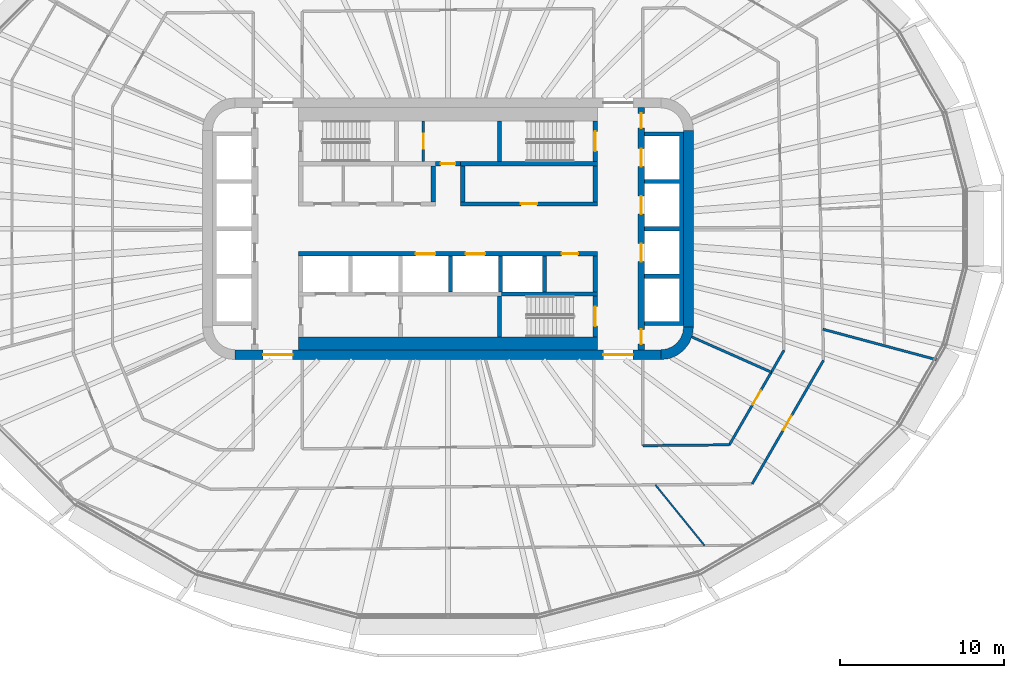
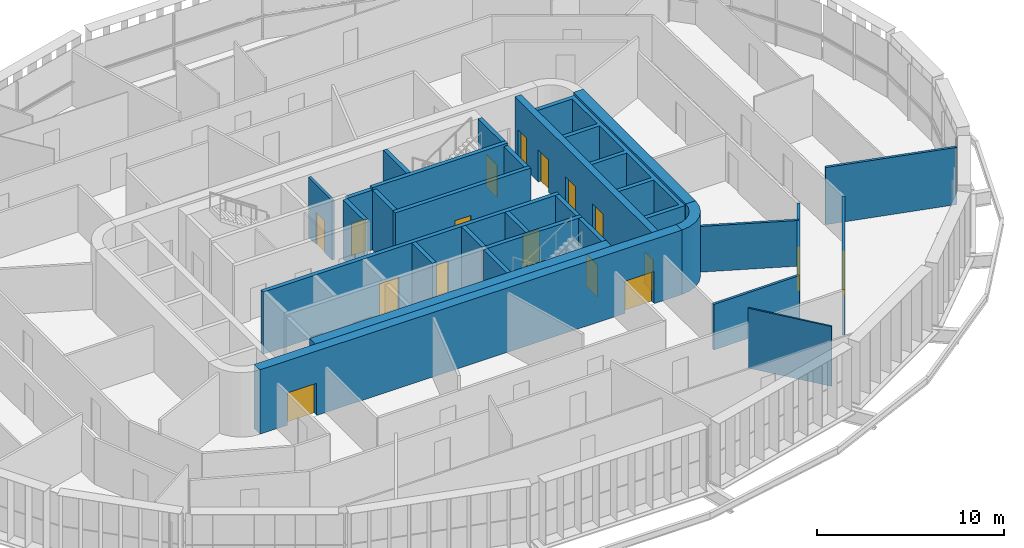
# One storey, part 16 of 26: 29 walls, 17 doors, 17 openings.
"""IFC4 building model written with IfcOpenShell, lengths in metres."""

from ifc_helpers import new_model, si_unit, direction, frame, frame_2d, origin, place, context, subcontext, project, spatial, polyline, rectangle, outline, extrude, material, layer, layer_set, type_object, element, fill, save


model = new_model("IFC4")

# Units and contexts
model_context = context("Model", 3, precision=1e-05, world=origin(), true_north=direction((0.0, 1.0)))
body_context = subcontext(model_context, "Body", "Model", "MODEL_VIEW")
ifc_project = project(units=[si_unit("LENGTHUNIT", "METRE"), si_unit("AREAUNIT", "SQUARE_METRE"), si_unit("VOLUMEUNIT", "CUBIC_METRE"), si_unit("PLANEANGLEUNIT", "RADIAN"), si_unit("MASSUNIT", "GRAM", prefix="KILO")], contexts=[model_context])

# Site, building, storey
site_placement = place(None, origin())
site = spatial("IfcSite", under=ifc_project, at=site_placement, CompositionType="ELEMENT")
building_placement = place(site_placement, origin())
building = spatial("IfcBuilding", under=site, at=building_placement, Name="Sahrelin Media Tower", CompositionType="ELEMENT")
storey_placement = place(building_placement, frame((0.0, 0.0, 88.199951171875)))
storey = spatial("IfcBuildingStorey", under=building, at=storey_placement, Name="L16", CompositionType="ELEMENT", Elevation=88.199951171875)

# Wall, openings, doors
ifc_material_1 = material(Name="Concrete C60/75", Category="concrete")
ifc_layer_1 = layer(ifc_material_1, 0.60009765625)
ifc_layer_set_1 = layer_set([ifc_layer_1], Name="Core wall 600")
wall_type_1 = type_object("IfcWallType", Name="Core wall 600", PredefinedType="SHEAR", material=ifc_layer_set_1)
wall_1_placement = place(storey_placement, frame((-13.0, -7.699951171875, 0.0), z_axis=(0.0, 0.0, 1.0), x_axis=(1.0, 0.0, 0.0)))
wall_1 = element("IfcWall", 1, at=wall_1_placement, inside=storey, type_object=wall_type_1, Name="Core wall S L16", PredefinedType="SHEAR", context=body_context, shape_type="SweptSolid", body=[
    extrude(rectangle(XDim=26.0, YDim=0.60009765625, at=frame_2d((13.0, 0.0))), origin(), (0.0, 0.0, 1.0), 4.199951171875),
])
opening_1_placement = place(wall_1_placement, frame((1.699951171875, 0.0, 0.0)))
opening_1 = element("IfcOpeningElement", 2, at=opening_1_placement, cuts=wall_1, Name="Opening L16-D19", PredefinedType="OPENING", context=body_context, shape_type="SweptSolid", body=[
    extrude(rectangle(XDim=1.800048828125, YDim=2.10009765625, at=frame_2d((0.89990234375, 1.050048828125))), frame((0.0, 0.300048828125, 0.0), z_axis=(0.0, -1.0, 0.0), x_axis=(1.0, 0.0, 0.0)), (0.0, 0.0, 1.0), 0.60009765625),
])
opening_2_placement = place(wall_1_placement, frame((22.5, 0.0, 0.0)))
opening_2 = element("IfcOpeningElement", 3, at=opening_2_placement, cuts=wall_1, Name="Opening L16-D20", PredefinedType="OPENING", context=body_context, shape_type="SweptSolid", body=[
    extrude(rectangle(XDim=1.800048828125, YDim=2.10009765625, at=frame_2d((0.89990234375, 1.050048828125))), frame((0.0, 0.300048828125, 0.0), z_axis=(0.0, -1.0, 0.0), x_axis=(1.0, 0.0, 0.0)), (0.0, 0.0, 1.0), 0.60009765625),
])
ifc_material_2 = material(Name="Steel fire door leaf", Category="steel")
door_type_1 = type_object("IfcDoorType", Name="Lobby double door 1800 x 2100 EI 60", OperationType="DOUBLE_DOOR_SINGLE_SWING", PredefinedType="DOOR", material=ifc_material_2)
door_1_placement = place(opening_1_placement, origin())
door_1 = element("IfcDoor", 4, at=door_1_placement, inside=storey, type_object=door_type_1, Name="Lobby door", OperationType="DOUBLE_DOOR_SINGLE_SWING", OverallHeight=2.10009765625, OverallWidth=1.800048828125, PredefinedType="DOOR", context=body_context, shape_type="SweptSolid", body=[
    extrude(rectangle(XDim=1.800048828125, YDim=2.10009765625, at=frame_2d((0.89990234375, 1.050048828125))), frame((0.0, 0.02490234375, 0.0), z_axis=(0.0, -1.0, 0.0), x_axis=(1.0, 0.0, 0.0)), (0.0, 0.0, 1.0), 0.050048828125),
])
fill(opening_1, door_1)
door_2_placement = place(opening_2_placement, origin())
door_2 = element("IfcDoor", 5, at=door_2_placement, inside=storey, type_object=door_type_1, Name="Lobby door", OperationType="DOUBLE_DOOR_SINGLE_SWING", OverallHeight=2.10009765625, OverallWidth=1.800048828125, PredefinedType="DOOR", context=body_context, shape_type="SweptSolid", body=[
    extrude(rectangle(XDim=1.800048828125, YDim=2.10009765625, at=frame_2d((0.89990234375, 1.050048828125))), frame((0.0, 0.02490234375, 0.0), z_axis=(0.0, -1.0, 0.0), x_axis=(1.0, 0.0, 0.0)), (0.0, 0.0, 1.0), 0.050048828125),
])
fill(opening_2, door_2)

# Walls
wall_2_placement = place(storey_placement, frame((14.699951171875, -6.0, 0.0), z_axis=(0.0, 0.0, 1.0), x_axis=(0.0, 1.0, 0.0)))
element("IfcWall", 6, at=wall_2_placement, inside=storey, type_object=wall_type_1, Name="Core wall E L16", PredefinedType="SHEAR", context=body_context, shape_type="SweptSolid", body=[
    extrude(rectangle(XDim=12.0, YDim=0.60009765625, at=frame_2d((6.0, 0.0))), origin(), (0.0, 0.0, 1.0), 4.199951171875),
])
placement = place(storey_placement, origin())
element("IfcWall", 7, at=placement, inside=storey, type_object=wall_type_1, Name="Core wall corner SE L16", PredefinedType="SHEAR", context=body_context, shape_type="SweptSolid", body=[
    extrude(outline(polyline([(15.0, -6.0), (14.394775390625, -6.0), (14.347412109375, -6.361083984375), (14.2080078125, -6.697509765625), (13.986328125, -6.986328125), (13.697509765625, -7.2080078125), (13.361083984375, -7.347412109375), (13.0, -7.394775390625), (13.0, -8.0), (13.517578125, -7.931884765625), (14.0, -7.732177734375), (14.414306640625, -7.414306640625), (14.732177734375, -7.0), (14.931884765625, -6.517578125), (15.0, -6.0)])), origin(), (0.0, 0.0, 1.0), 4.199951171875),
])

# Wall, opening, door
ifc_material_3 = material(Name="Fire-rated gypsum board partition")
ifc_layer_2 = layer(ifc_material_3, 0.25)
ifc_layer_set_2 = layer_set([ifc_layer_2], Name="Fire-rated lobby wall 250")
wall_type_2 = type_object("IfcWallType", Name="Fire-rated lobby wall 250", PredefinedType="PARTITIONING", material=ifc_layer_set_2)
wall_4_placement = place(storey_placement, frame((-0.77490234375, 3.97509765625, 0.0), z_axis=(0.0, 0.0, 1.0), x_axis=(1.0, 0.0, 0.0)))
wall_4 = element("IfcWall", 8, at=wall_4_placement, inside=storey, type_object=wall_type_2, Name="Core lobby wall", PredefinedType="PARTITIONING", context=body_context, shape_type="SweptSolid", body=[
    extrude(rectangle(XDim=1.5498046875, YDim=0.25, at=frame_2d((0.77490234375, 0.0))), origin(), (0.0, 0.0, 1.0), 3.900146484375),
])
opening_3_placement = place(wall_4_placement, frame((0.324951171875, 0.0, 0.0)))
opening_3 = element("IfcOpeningElement", 9, at=opening_3_placement, cuts=wall_4, Name="Opening L16-D06", PredefinedType="OPENING", context=body_context, shape_type="SweptSolid", body=[
    extrude(rectangle(XDim=0.89990234375, YDim=2.10009765625, at=frame_2d((0.449951171875, 1.050048828125))), frame((0.0, 0.125, 0.0), z_axis=(0.0, -1.0, 0.0), x_axis=(1.0, 0.0, 0.0)), (0.0, 0.0, 1.0), 0.25),
])
door_type_2 = type_object("IfcDoorType", Name="Riser door 900 x 2100 EI 120", OperationType="NOTDEFINED", PredefinedType="DOOR", material=ifc_material_2)
door_3_placement = place(opening_3_placement, origin())
door_3 = element("IfcDoor", 10, at=door_3_placement, inside=storey, type_object=door_type_2, Name="Core room door", OperationType="SINGLE_SWING_LEFT", OverallHeight=2.10009765625, OverallWidth=0.89990234375, PredefinedType="DOOR", context=body_context, shape_type="SweptSolid", body=[
    extrude(rectangle(XDim=0.89990234375, YDim=2.10009765625, at=frame_2d((0.449951171875, 1.050048828125))), frame((0.0, 0.02490234375, 0.0), z_axis=(0.0, -1.0, 0.0), x_axis=(1.0, 0.0, 0.0)), (0.0, 0.0, 1.0), 0.050048828125),
])
fill(opening_3, door_3)

wall_5_placement = place(storey_placement, frame((0.77490234375, 1.52490234375, 0.0), z_axis=(0.0, 0.0, 1.0), x_axis=(1.0, 0.0, 0.0)))
wall_5 = element("IfcWall", 11, at=wall_5_placement, inside=storey, type_object=wall_type_2, Name="Core lobby wall", PredefinedType="PARTITIONING", context=body_context, shape_type="SweptSolid", body=[
    extrude(rectangle(XDim=8.35009765625, YDim=0.25, at=frame_2d((4.175048828125, 0.0))), origin(), (0.0, 0.0, 1.0), 3.900146484375),
])
opening_4_placement = place(wall_5_placement, frame((3.675048828125, 0.0, 0.0)))
opening_4 = element("IfcOpeningElement", 12, at=opening_4_placement, cuts=wall_5, Name="Opening L16-D11", PredefinedType="OPENING", context=body_context, shape_type="SweptSolid", body=[
    extrude(rectangle(XDim=1.0, YDim=2.10009765625, at=frame_2d((0.5, 1.050048828125))), frame((0.0, 0.125, 0.0), z_axis=(0.0, -1.0, 0.0), x_axis=(1.0, 0.0, 0.0)), (0.0, 0.0, 1.0), 0.25),
])
door_type_3 = type_object("IfcDoorType", Name="Fire door 1000 x 2100 EI 60", OperationType="NOTDEFINED", PredefinedType="DOOR", material=ifc_material_2)
door_4_placement = place(opening_4_placement, origin())
door_4 = element("IfcDoor", 13, at=door_4_placement, inside=storey, type_object=door_type_3, Name="Core room door", OperationType="SINGLE_SWING_LEFT", OverallHeight=2.10009765625, OverallWidth=1.0, PredefinedType="DOOR", context=body_context, shape_type="SweptSolid", body=[
    extrude(rectangle(XDim=1.0, YDim=2.10009765625, at=frame_2d((0.5, 1.050048828125))), frame((0.0, 0.02490234375, 0.0), z_axis=(0.0, -1.0, 0.0), x_axis=(1.0, 0.0, 0.0)), (0.0, 0.0, 1.0), 0.050048828125),
])
fill(opening_4, door_4)

# Walls
for number, where, z_axis, x_axis, name in (
    (14, (-0.89990234375, 1.64990234375, 0.0), (0.0, 0.0, 1.0), (0.0, 1.0, 0.0), "Core lobby wall"),
    (15, (9.0, 1.64990234375, 0.0), (0.0, 0.0, 1.0), (0.0, 1.0, 0.0), "Core lobby wall"),
    (16, (0.89990234375, 1.64990234375, 0.0), (0.0, 0.0, 1.0), (0.0, 1.0, 0.0), "Core lobby wall"),
):
    element("IfcWall", number, at=place(storey_placement, frame(where, z_axis=z_axis, x_axis=x_axis)), inside=storey, type_object=wall_type_2, Name=name, PredefinedType="PARTITIONING", context=body_context, shape_type="SweptSolid", body=[
        extrude(rectangle(XDim=2.2001953125, YDim=0.25, at=frame_2d((1.10009765625, 0.0))), origin(), (0.0, 0.0, 1.0), 3.900146484375),
    ])

# Wall, opening, door
ifc_layer_3 = layer(ifc_material_3, 0.14990234375)
ifc_layer_set_3 = layer_set([ifc_layer_3], Name="Fire-rated partition 150")
wall_type_3 = type_object("IfcWallType", Name="Fire-rated partition 150", PredefinedType="PARTITIONING", material=ifc_layer_set_3)
wall_6_placement = place(storey_placement, frame((-1.5, 4.10009765625, 0.0), z_axis=(0.0, 0.0, 1.0), x_axis=(0.0, 1.0, 0.0)))
wall_6 = element("IfcWall", 17, at=wall_6_placement, inside=storey, type_object=wall_type_3, Name="Core room fire partition", PredefinedType="PARTITIONING", context=body_context, shape_type="SweptSolid", body=[
    extrude(rectangle(XDim=2.5, YDim=0.14990234375, at=frame_2d((1.25, 0.0))), origin(), (0.0, 0.0, 1.0), 3.900146484375),
])
opening_5_placement = place(wall_6_placement, frame((0.800048828125, 0.0, 0.0)))
opening_5 = element("IfcOpeningElement", 18, at=opening_5_placement, cuts=wall_6, Name="Opening L16-D07", PredefinedType="OPENING", context=body_context, shape_type="SweptSolid", body=[
    extrude(rectangle(XDim=0.89990234375, YDim=2.10009765625, at=frame_2d((0.449951171875, 1.050048828125))), frame((0.0, 0.074951171875, 0.0), z_axis=(0.0, -1.0, 0.0), x_axis=(1.0, 0.0, 0.0)), (0.0, 0.0, 1.0), 0.14990234375),
])
door_type_4 = type_object("IfcDoorType", Name="Fire door 900 x 2100 EI 60", OperationType="NOTDEFINED", PredefinedType="DOOR", material=ifc_material_2)
door_5_placement = place(opening_5_placement, origin())
door_5 = element("IfcDoor", 19, at=door_5_placement, inside=storey, type_object=door_type_4, Name="Core room door", OperationType="SINGLE_SWING_LEFT", OverallHeight=2.10009765625, OverallWidth=0.89990234375, PredefinedType="DOOR", context=body_context, shape_type="SweptSolid", body=[
    extrude(rectangle(XDim=0.89990234375, YDim=2.10009765625, at=frame_2d((0.449951171875, 1.050048828125))), frame((0.0, 0.02490234375, 0.0), z_axis=(0.0, -1.0, 0.0), x_axis=(1.0, 0.0, 0.0)), (0.0, 0.0, 1.0), 0.050048828125),
])
fill(opening_5, door_5)

# Walls
wall_7_placement = place(storey_placement, frame((14.89501953125, -6.60693359375, 0.0), z_axis=(0.0, 0.0, 1.0), x_axis=(0.914233271379, -0.405188259337, 0.0)))
element("IfcWall", 20, at=wall_7_placement, inside=storey, type_object=wall_type_3, Name="Wall", PredefinedType="PARTITIONING", context=body_context, shape_type="SweptSolid", body=[
    extrude(rectangle(XDim=5.3173828125, YDim=0.14990234375, at=frame_2d((2.65869140625, 0.0))), origin(), (0.0, 0.0, 1.0), 2.97705078125),
])
wall_8_placement = place(storey_placement, frame((22.905029296875, -6.136962890625, 0.0), z_axis=(0.0, 0.0, 1.0), x_axis=(0.965915974273, -0.258855810529, 0.0)))
element("IfcWall", 21, at=wall_8_placement, inside=storey, type_object=wall_type_3, Name="Wall", PredefinedType="PARTITIONING", context=body_context, shape_type="SweptSolid", body=[
    extrude(rectangle(XDim=7.270751953125, YDim=0.14990234375, at=frame_2d((3.63525390625, 0.0))), origin(), (0.0, 0.0, 1.0), 3.7265625),
])
wall_9_placement = place(storey_placement, frame((11.89990234375, -13.2529296875, 0.0), z_axis=(0.0, 0.0, 1.0), x_axis=(0.999950853109, 0.009914200296, 0.0)))
element("IfcWall", 22, at=wall_9_placement, inside=storey, type_object=wall_type_3, Name="Wall", PredefinedType="PARTITIONING", context=body_context, shape_type="SweptSolid", body=[
    extrude(rectangle(XDim=5.29443359375, YDim=0.14990234375, at=frame_2d((2.647216796875, 0.0))), origin(), (0.0, 0.0, 1.0), 2.96826171875),
])

# Wall, opening, door
wall_10_placement = place(storey_placement, frame((18.5869140625, -15.5869140625, 0.0), z_axis=(0.0, 0.0, 1.0), x_axis=(0.500026433136, 0.866010142069, 0.0)))
wall_10 = element("IfcWall", 23, at=wall_10_placement, inside=storey, type_object=wall_type_3, Name="Wall", PredefinedType="PARTITIONING", context=body_context, shape_type="SweptSolid", body=[
    extrude(rectangle(XDim=8.71337890625, YDim=0.14990234375, at=frame_2d((4.356689453125, 0.0))), origin(), (0.0, 0.0, 1.0), 2.96826171875),
])
opening_6_placement = place(wall_10_placement, frame((3.80712890625, 0.0, 0.0)))
opening_6 = element("IfcOpeningElement", 24, at=opening_6_placement, cuts=wall_10, Name="Opening L16-D36", PredefinedType="OPENING", context=body_context, shape_type="SweptSolid", body=[
    extrude(rectangle(XDim=1.0, YDim=2.10009765625, at=frame_2d((0.5, 1.050048828125))), frame((0.0, 0.074951171875, 0.0), z_axis=(0.0, -1.0, 0.0), x_axis=(1.0, 0.0, 0.0)), (0.0, 0.0, 1.0), 0.14990234375),
])
door_6_placement = place(opening_6_placement, origin())
door_6 = element("IfcDoor", 25, at=door_6_placement, inside=storey, type_object=door_type_3, Name="Fire door", OperationType="SINGLE_SWING_LEFT", OverallHeight=2.10009765625, OverallWidth=1.0, PredefinedType="DOOR", context=body_context, shape_type="SweptSolid", body=[
    extrude(rectangle(XDim=1.0, YDim=2.10009765625, at=frame_2d((0.5, 1.050048828125))), frame((0.0, 0.02490234375, 0.0), z_axis=(0.0, -1.0, 0.0), x_axis=(1.0, 0.0, 0.0)), (0.0, 0.0, 1.0), 0.050048828125),
])
fill(opening_6, door_6)

wall_11_placement = place(storey_placement, frame((17.194091796875, -13.200927734375, 0.0), z_axis=(0.0, 0.0, 1.0), x_axis=(0.50001062018, 0.866019272134, 0.0)))
wall_11 = element("IfcWall", 26, at=wall_11_placement, inside=storey, type_object=wall_type_3, Name="Wall", PredefinedType="PARTITIONING", context=body_context, shape_type="SweptSolid", body=[
    extrude(rectangle(XDim=6.673583984375, YDim=0.14990234375, at=frame_2d((3.3369140625, 0.0))), origin(), (0.0, 0.0, 1.0), 2.96826171875),
])
opening_7_placement = place(wall_11_placement, frame((2.83349609375, 0.0, 0.0)))
opening_7 = element("IfcOpeningElement", 27, at=opening_7_placement, cuts=wall_11, Name="Opening L16-D24", PredefinedType="OPENING", context=body_context, shape_type="SweptSolid", body=[
    extrude(rectangle(XDim=1.0, YDim=2.10009765625, at=frame_2d((0.5, 1.050048828125))), frame((0.0, 0.074951171875, 0.0), z_axis=(0.0, -1.0, 0.0), x_axis=(1.0, 0.0, 0.0)), (0.0, 0.0, 1.0), 0.14990234375),
])
door_7_placement = place(opening_7_placement, origin())
door_7 = element("IfcDoor", 28, at=door_7_placement, inside=storey, type_object=door_type_3, Name="Fire door", OperationType="SINGLE_SWING_LEFT", OverallHeight=2.10009765625, OverallWidth=1.0, PredefinedType="DOOR", context=body_context, shape_type="SweptSolid", body=[
    extrude(rectangle(XDim=1.0, YDim=2.10009765625, at=frame_2d((0.5, 1.050048828125))), frame((0.0, 0.02490234375, 0.0), z_axis=(0.0, -1.0, 0.0), x_axis=(1.0, 0.0, 0.0)), (0.0, 0.0, 1.0), 0.050048828125),
])
fill(opening_7, door_7)

# Wall, openings, doors
ifc_layer_4 = layer(ifc_material_1, 0.25)
ifc_layer_set_4 = layer_set([ifc_layer_4], Name="Lift shaft wall 250")
wall_type_4 = type_object("IfcWallType", Name="Lift shaft wall 250", PredefinedType="SOLIDWALL", material=ifc_layer_set_4)
wall_12_placement = place(storey_placement, frame((-9.125, -1.52490234375, 0.0), z_axis=(0.0, 0.0, 1.0), x_axis=(1.0, 0.0, 0.0)))
wall_12 = element("IfcWall", 29, at=wall_12_placement, inside=storey, type_object=wall_type_4, Name="Lift shaft wall", PredefinedType="SOLIDWALL", context=body_context, shape_type="SweptSolid", body=[
    extrude(rectangle(XDim=18.25, YDim=0.25, at=frame_2d((9.125, 0.0))), origin(), (0.0, 0.0, 1.0), 4.050048828125),
])
opening_8_placement = place(wall_12_placement, frame((7.14990234375, 0.0, 0.0)))
opening_8 = element("IfcOpeningElement", 30, at=opening_8_placement, cuts=wall_12, Name="Opening L16-LD-SV1", PredefinedType="OPENING", context=body_context, shape_type="SweptSolid", body=[
    extrude(rectangle(XDim=1.199951171875, YDim=2.10009765625, at=frame_2d((0.60009765625, 1.050048828125))), frame((0.0, 0.125, 0.0), z_axis=(0.0, -1.0, 0.0), x_axis=(1.0, 0.0, 0.0)), (0.0, 0.0, 1.0), 0.25),
])
opening_9_placement = place(wall_12_placement, frame((10.199951171875, 0.0, 0.0)))
opening_9 = element("IfcOpeningElement", 31, at=opening_9_placement, cuts=wall_12, Name="Opening L16-LD-SV2", PredefinedType="OPENING", context=body_context, shape_type="SweptSolid", body=[
    extrude(rectangle(XDim=1.199951171875, YDim=2.10009765625, at=frame_2d((0.60009765625, 1.050048828125))), frame((0.0, 0.125, 0.0), z_axis=(0.0, -1.0, 0.0), x_axis=(1.0, 0.0, 0.0)), (0.0, 0.0, 1.0), 0.25),
])
opening_10_placement = place(wall_12_placement, frame((16.074951171875, 0.0, 0.0)))
opening_10 = element("IfcOpeningElement", 32, at=opening_10_placement, cuts=wall_12, Name="Opening L16-D12", PredefinedType="OPENING", context=body_context, shape_type="SweptSolid", body=[
    extrude(rectangle(XDim=1.0, YDim=2.10009765625, at=frame_2d((0.5, 1.050048828125))), frame((0.0, 0.125, 0.0), z_axis=(0.0, -1.0, 0.0), x_axis=(1.0, 0.0, 0.0)), (0.0, 0.0, 1.0), 0.25),
])
door_8_placement = place(opening_10_placement, origin())
door_8 = element("IfcDoor", 33, at=door_8_placement, inside=storey, type_object=door_type_3, Name="Core room door", OperationType="SINGLE_SWING_RIGHT", OverallHeight=2.10009765625, OverallWidth=1.0, PredefinedType="DOOR", context=body_context, shape_type="SweptSolid", body=[
    extrude(rectangle(XDim=1.0, YDim=2.10009765625, at=frame_2d((0.5, 1.050048828125))), frame((0.0, 0.02490234375, 0.0), z_axis=(0.0, -1.0, 0.0), x_axis=(1.0, 0.0, 0.0)), (0.0, 0.0, 1.0), 0.050048828125),
])
fill(opening_10, door_8)
ifc_material_4 = material(Name="Stainless steel", Category="steel")
door_type_5 = type_object("IfcDoorType", Name="Lift landing door 1200 x 2100 EI 120", OperationType="DOUBLE_DOOR_SLIDING", PredefinedType="DOOR", material=ifc_material_4)
door_9_placement = place(opening_8_placement, origin())
door_9 = element("IfcDoor", 34, at=door_9_placement, inside=storey, type_object=door_type_5, Name="Lift landing door SV1", OperationType="DOUBLE_DOOR_SLIDING", OverallHeight=2.10009765625, OverallWidth=1.199951171875, PredefinedType="DOOR", context=body_context, shape_type="SweptSolid", body=[
    extrude(rectangle(XDim=1.199951171875, YDim=2.10009765625, at=frame_2d((0.60009765625, 1.050048828125))), frame((0.0, 0.02490234375, 0.0), z_axis=(0.0, -1.0, 0.0), x_axis=(1.0, 0.0, 0.0)), (0.0, 0.0, 1.0), 0.050048828125),
])
fill(opening_8, door_9)
door_10_placement = place(opening_9_placement, origin())
door_10 = element("IfcDoor", 35, at=door_10_placement, inside=storey, type_object=door_type_5, Name="Lift landing door SV2", OperationType="DOUBLE_DOOR_SLIDING", OverallHeight=2.10009765625, OverallWidth=1.199951171875, PredefinedType="DOOR", context=body_context, shape_type="SweptSolid", body=[
    extrude(rectangle(XDim=1.199951171875, YDim=2.10009765625, at=frame_2d((0.60009765625, 1.050048828125))), frame((0.0, 0.02490234375, 0.0), z_axis=(0.0, -1.0, 0.0), x_axis=(1.0, 0.0, 0.0)), (0.0, 0.0, 1.0), 0.050048828125),
])
fill(opening_9, door_10)

# Walls
wall_13_placement = place(storey_placement, frame((3.27490234375, -3.97509765625, 0.0), z_axis=(0.0, 0.0, 1.0), x_axis=(1.0, 0.0, 0.0)))
element("IfcWall", 36, at=wall_13_placement, inside=storey, type_object=wall_type_4, Name="Lift shaft wall", PredefinedType="SOLIDWALL", context=body_context, shape_type="SweptSolid", body=[
    extrude(rectangle(XDim=5.85009765625, YDim=0.25, at=frame_2d((2.925048828125, 0.0))), origin(), (0.0, 0.0, 1.0), 4.050048828125),
])
for number, where, z_axis, x_axis, name in (
    (37, (0.14990234375, -3.85009765625, 0.0), (0.0, 0.0, 1.0), (0.0, 1.0, 0.0), "Lift shaft wall"),
    (38, (3.199951171875, -3.85009765625, 0.0), (0.0, 0.0, 1.0), (0.0, 1.0, 0.0), "Lift shaft wall"),
    (39, (5.89990234375, -3.85009765625, 0.0), (0.0, 0.0, 1.0), (0.0, 1.0, 0.0), "Lift shaft wall"),
    (40, (9.0, -3.85009765625, 0.0), (0.0, 0.0, 1.0), (0.0, 1.0, 0.0), "Lift shaft wall"),
):
    element("IfcWall", number, at=place(storey_placement, frame(where, z_axis=z_axis, x_axis=x_axis)), inside=storey, type_object=wall_type_4, Name=name, PredefinedType="SOLIDWALL", context=body_context, shape_type="SweptSolid", body=[
        extrude(rectangle(XDim=2.2001953125, YDim=0.25, at=frame_2d((1.10009765625, 0.0))), origin(), (0.0, 0.0, 1.0), 4.050048828125),
    ])
element("IfcWall", 41, at=placement, inside=storey, type_object=wall_type_4, Name="Lift shaft wall", PredefinedType="SOLIDWALL", context=body_context, shape_type="SweptSolid", body=[
    extrude(outline(polyline([(12.0, -5.675048828125), (12.0, -5.925048828125), (14.14990234375, -5.925048828125), (14.39990234375, -5.925048828125), (14.39990234375, -5.675048828125), (14.39990234375, -3.02490234375), (14.39990234375, -2.77490234375), (14.39990234375, -0.125), (14.39990234375, 0.125), (14.39990234375, 2.77490234375), (14.39990234375, 3.02490234375), (14.39990234375, 5.675048828125), (14.39990234375, 5.925048828125), (14.14990234375, 5.925048828125), (12.0, 5.925048828125), (12.0, 5.675048828125), (14.14990234375, 5.675048828125), (14.14990234375, 3.02490234375), (12.0, 3.02490234375), (12.0, 2.77490234375), (14.14990234375, 2.77490234375), (14.14990234375, 0.125), (12.0, 0.125), (12.0, -0.125), (14.14990234375, -0.125), (14.14990234375, -2.77490234375), (12.0, -2.77490234375), (12.0, -3.02490234375), (14.14990234375, -3.02490234375), (14.14990234375, -5.675048828125), (12.0, -5.675048828125)])), origin(), (0.0, 0.0, 1.0), 4.050048828125),
])

# Wall, openings, doors
ifc_layer_5 = layer(ifc_material_1, 0.39990234375)
ifc_layer_set_5 = layer_set([ifc_layer_5], Name="Lift shaft wall 400")
wall_type_5 = type_object("IfcWallType", Name="Lift shaft wall 400", PredefinedType="SOLIDWALL", material=ifc_layer_set_5)
wall_15_placement = place(storey_placement, frame((11.800048828125, -7.39990234375, 0.0), z_axis=(0.0, 0.0, 1.0), x_axis=(0.0, 1.0, 0.0)))
wall_15 = element("IfcWall", 42, at=wall_15_placement, inside=storey, type_object=wall_type_5, Name="Lift shaft wall", PredefinedType="SOLIDWALL", context=body_context, shape_type="SweptSolid", body=[
    extrude(rectangle(XDim=14.7998046875, YDim=0.39990234375, at=frame_2d((7.39990234375, 0.0))), origin(), (0.0, 0.0, 1.0), 4.050048828125),
])
opening_11_placement = place(wall_15_placement, frame((11.199951171875, 0.0, 0.0)))
opening_11 = element("IfcOpeningElement", 43, at=opening_11_placement, cuts=wall_15, Name="Opening L16-LD-LR4", PredefinedType="OPENING", context=body_context, shape_type="SweptSolid", body=[
    extrude(rectangle(XDim=1.10009765625, YDim=2.10009765625, at=frame_2d((0.550048828125, 1.050048828125))), frame((0.0, 0.199951171875, 0.0), z_axis=(0.0, -1.0, 0.0), x_axis=(1.0, 0.0, 0.0)), (0.0, 0.0, 1.0), 0.39990234375),
])
opening_12_placement = place(wall_15_placement, frame((8.300048828125, 0.0, 0.0)))
opening_12 = element("IfcOpeningElement", 44, at=opening_12_placement, cuts=wall_15, Name="Opening L16-LD-LR5", PredefinedType="OPENING", context=body_context, shape_type="SweptSolid", body=[
    extrude(rectangle(XDim=1.10009765625, YDim=2.10009765625, at=frame_2d((0.550048828125, 1.050048828125))), frame((0.0, 0.199951171875, 0.0), z_axis=(0.0, -1.0, 0.0), x_axis=(1.0, 0.0, 0.0)), (0.0, 0.0, 1.0), 0.39990234375),
])
opening_13_placement = place(wall_15_placement, frame((5.39990234375, 0.0, 0.0)))
opening_13 = element("IfcOpeningElement", 45, at=opening_13_placement, cuts=wall_15, Name="Opening L16-LD-LR6", PredefinedType="OPENING", context=body_context, shape_type="SweptSolid", body=[
    extrude(rectangle(XDim=1.10009765625, YDim=2.10009765625, at=frame_2d((0.550048828125, 1.050048828125))), frame((0.0, 0.199951171875, 0.0), z_axis=(0.0, -1.0, 0.0), x_axis=(1.0, 0.0, 0.0)), (0.0, 0.0, 1.0), 0.39990234375),
])
opening_14_placement = place(wall_15_placement, frame((13.552490234375, 0.0, 0.0)))
opening_14 = element("IfcOpeningElement", 46, at=opening_14_placement, cuts=wall_15, Name="Opening L16-D15", PredefinedType="OPENING", context=body_context, shape_type="SweptSolid", body=[
    extrude(rectangle(XDim=0.89990234375, YDim=2.10009765625, at=frame_2d((0.449951171875, 1.050048828125))), frame((0.0, 0.199951171875, 0.0), z_axis=(0.0, -1.0, 0.0), x_axis=(1.0, 0.0, 0.0)), (0.0, 0.0, 1.0), 0.39990234375),
])
opening_15_placement = place(wall_15_placement, frame((0.347412109375, 0.0, 0.0)))
opening_15 = element("IfcOpeningElement", 47, at=opening_15_placement, cuts=wall_15, Name="Opening L16-D16", PredefinedType="OPENING", context=body_context, shape_type="SweptSolid", body=[
    extrude(rectangle(XDim=0.89990234375, YDim=2.10009765625, at=frame_2d((0.449951171875, 1.050048828125))), frame((0.0, 0.199951171875, 0.0), z_axis=(0.0, -1.0, 0.0), x_axis=(1.0, 0.0, 0.0)), (0.0, 0.0, 1.0), 0.39990234375),
])
door_type_6 = type_object("IfcDoorType", Name="Lift landing door 1100 x 2100 EI 120", OperationType="DOUBLE_DOOR_SLIDING", PredefinedType="DOOR", material=ifc_material_4)
door_11_placement = place(opening_11_placement, origin())
door_11 = element("IfcDoor", 48, at=door_11_placement, inside=storey, type_object=door_type_6, Name="Lift landing door LR4", OperationType="DOUBLE_DOOR_SLIDING", OverallHeight=2.10009765625, OverallWidth=1.10009765625, PredefinedType="DOOR", context=body_context, shape_type="SweptSolid", body=[
    extrude(rectangle(XDim=1.10009765625, YDim=2.10009765625, at=frame_2d((0.550048828125, 1.050048828125))), frame((0.0, 0.02490234375, 0.0), z_axis=(0.0, -1.0, 0.0), x_axis=(1.0, 0.0, 0.0)), (0.0, 0.0, 1.0), 0.050048828125),
])
fill(opening_11, door_11)
door_12_placement = place(opening_12_placement, origin())
door_12 = element("IfcDoor", 49, at=door_12_placement, inside=storey, type_object=door_type_6, Name="Lift landing door LR5", OperationType="DOUBLE_DOOR_SLIDING", OverallHeight=2.10009765625, OverallWidth=1.10009765625, PredefinedType="DOOR", context=body_context, shape_type="SweptSolid", body=[
    extrude(rectangle(XDim=1.10009765625, YDim=2.10009765625, at=frame_2d((0.550048828125, 1.050048828125))), frame((0.0, 0.02490234375, 0.0), z_axis=(0.0, -1.0, 0.0), x_axis=(1.0, 0.0, 0.0)), (0.0, 0.0, 1.0), 0.050048828125),
])
fill(opening_12, door_12)
door_13_placement = place(opening_13_placement, origin())
door_13 = element("IfcDoor", 50, at=door_13_placement, inside=storey, type_object=door_type_6, Name="Lift landing door LR6", OperationType="DOUBLE_DOOR_SLIDING", OverallHeight=2.10009765625, OverallWidth=1.10009765625, PredefinedType="DOOR", context=body_context, shape_type="SweptSolid", body=[
    extrude(rectangle(XDim=1.10009765625, YDim=2.10009765625, at=frame_2d((0.550048828125, 1.050048828125))), frame((0.0, 0.02490234375, 0.0), z_axis=(0.0, -1.0, 0.0), x_axis=(1.0, 0.0, 0.0)), (0.0, 0.0, 1.0), 0.050048828125),
])
fill(opening_13, door_13)
door_14_placement = place(opening_14_placement, origin())
door_14 = element("IfcDoor", 51, at=door_14_placement, inside=storey, type_object=door_type_2, Name="Riser door", OperationType="SINGLE_SWING_RIGHT", OverallHeight=2.10009765625, OverallWidth=0.89990234375, PredefinedType="DOOR", context=body_context, shape_type="SweptSolid", body=[
    extrude(rectangle(XDim=0.89990234375, YDim=2.10009765625, at=frame_2d((0.449951171875, 1.050048828125))), frame((0.0, 0.02490234375, 0.0), z_axis=(0.0, -1.0, 0.0), x_axis=(1.0, 0.0, 0.0)), (0.0, 0.0, 1.0), 0.050048828125),
])
fill(opening_14, door_14)
door_15_placement = place(opening_15_placement, origin())
door_15 = element("IfcDoor", 52, at=door_15_placement, inside=storey, type_object=door_type_2, Name="Riser door", OperationType="SINGLE_SWING_RIGHT", OverallHeight=2.10009765625, OverallWidth=0.89990234375, PredefinedType="DOOR", context=body_context, shape_type="SweptSolid", body=[
    extrude(rectangle(XDim=0.89990234375, YDim=2.10009765625, at=frame_2d((0.449951171875, 1.050048828125))), frame((0.0, 0.02490234375, 0.0), z_axis=(0.0, -1.0, 0.0), x_axis=(1.0, 0.0, 0.0)), (0.0, 0.0, 1.0), 0.050048828125),
])
fill(opening_15, door_15)

# Wall
ifc_material_5 = material(Name="Gypsum board partition")
ifc_layer_6 = layer(ifc_material_5, 0.10009765625)
ifc_layer_set_6 = layer_set([ifc_layer_6], Name="Partition 100")
wall_type_6 = type_object("IfcWallType", Name="Partition 100", PredefinedType="PARTITIONING", material=ifc_layer_set_6)
wall_16_placement = place(storey_placement, frame((12.669921875, -15.64599609375, 0.0), z_axis=(0.0, 0.0, 1.0), x_axis=(0.629429152062, -0.777057875923, 0.0)))
element("IfcWall", 53, at=wall_16_placement, inside=storey, type_object=wall_type_6, Name="Wall", PredefinedType="PARTITIONING", context=body_context, shape_type="SweptSolid", body=[
    extrude(rectangle(XDim=4.7744140625, YDim=0.10009765625, at=frame_2d((2.38720703125, 0.0))), origin(), (0.0, 0.0, 1.0), 3.900146484375),
])

# Wall, opening, door
ifc_layer_7 = layer(ifc_material_1, 0.25)
ifc_layer_set_7 = layer_set([ifc_layer_7], Name="Stair enclosure wall 250")
wall_type_7 = type_object("IfcWallType", Name="Stair enclosure wall 250", PredefinedType="SOLIDWALL", material=ifc_layer_set_7)
wall_17_placement = place(storey_placement, frame((9.0, 4.10009765625, 0.0), z_axis=(0.0, 0.0, 1.0), x_axis=(0.0, 1.0, 0.0)))
wall_17 = element("IfcWall", 54, at=wall_17_placement, inside=storey, type_object=wall_type_7, Name="Stair enclosure wall", PredefinedType="SOLIDWALL", context=body_context, shape_type="SweptSolid", body=[
    extrude(rectangle(XDim=2.5, YDim=0.25, at=frame_2d((1.25, 0.0))), origin(), (0.0, 0.0, 1.0), 4.050048828125),
])
opening_16_placement = place(wall_17_placement, frame((0.64990234375, 0.0, 0.0)))
opening_16 = element("IfcOpeningElement", 55, at=opening_16_placement, cuts=wall_17, Name="Opening L16-D02", PredefinedType="OPENING", context=body_context, shape_type="SweptSolid", body=[
    extrude(rectangle(XDim=1.199951171875, YDim=2.10009765625, at=frame_2d((0.60009765625, 1.050048828125))), frame((0.0, 0.125, 0.0), z_axis=(0.0, -1.0, 0.0), x_axis=(1.0, 0.0, 0.0)), (0.0, 0.0, 1.0), 0.25),
])
door_type_7 = type_object("IfcDoorType", Name="Stair door 1200 x 2100 EI 120", OperationType="NOTDEFINED", PredefinedType="DOOR", material=ifc_material_2)
door_16_placement = place(opening_16_placement, origin())
door_16 = element("IfcDoor", 56, at=door_16_placement, inside=storey, type_object=door_type_7, Name="Stair door ST3", OperationType="SINGLE_SWING_LEFT", OverallHeight=2.10009765625, OverallWidth=1.199951171875, PredefinedType="DOOR", context=body_context, shape_type="SweptSolid", body=[
    extrude(rectangle(XDim=1.199951171875, YDim=2.10009765625, at=frame_2d((0.60009765625, 1.050048828125))), frame((0.0, 0.02490234375, 0.0), z_axis=(0.0, -1.0, 0.0), x_axis=(1.0, 0.0, 0.0)), (0.0, 0.0, 1.0), 0.050048828125),
])
fill(opening_16, door_16)

wall_18_placement = place(storey_placement, frame((9.0, -6.60009765625, 0.0), z_axis=(0.0, 0.0, 1.0), x_axis=(0.0, 1.0, 0.0)))
wall_18 = element("IfcWall", 57, at=wall_18_placement, inside=storey, type_object=wall_type_7, Name="Stair enclosure wall", PredefinedType="SOLIDWALL", context=body_context, shape_type="SweptSolid", body=[
    extrude(rectangle(XDim=2.5, YDim=0.25, at=frame_2d((1.25, 0.0))), origin(), (0.0, 0.0, 1.0), 4.050048828125),
])
opening_17_placement = place(wall_18_placement, frame((0.64990234375, 0.0, 0.0)))
opening_17 = element("IfcOpeningElement", 58, at=opening_17_placement, cuts=wall_18, Name="Opening L16-D03", PredefinedType="OPENING", context=body_context, shape_type="SweptSolid", body=[
    extrude(rectangle(XDim=1.199951171875, YDim=2.10009765625, at=frame_2d((0.60009765625, 1.050048828125))), frame((0.0, 0.125, 0.0), z_axis=(0.0, -1.0, 0.0), x_axis=(1.0, 0.0, 0.0)), (0.0, 0.0, 1.0), 0.25),
])
door_17_placement = place(opening_17_placement, origin())
door_17 = element("IfcDoor", 59, at=door_17_placement, inside=storey, type_object=door_type_7, Name="Stair door ST2", OperationType="SINGLE_SWING_LEFT", OverallHeight=2.10009765625, OverallWidth=1.199951171875, PredefinedType="DOOR", context=body_context, shape_type="SweptSolid", body=[
    extrude(rectangle(XDim=1.199951171875, YDim=2.10009765625, at=frame_2d((0.60009765625, 1.050048828125))), frame((0.0, 0.02490234375, 0.0), z_axis=(0.0, -1.0, 0.0), x_axis=(1.0, 0.0, 0.0)), (0.0, 0.0, 1.0), 0.050048828125),
])
fill(opening_17, door_17)

# Walls
for number, where, z_axis, x_axis, name in (
    (60, (3.14990234375, 4.10009765625, 0.0), (0.0, 0.0, 1.0), (0.0, 1.0, 0.0), "Stair enclosure wall"),
    (61, (3.14990234375, -6.60009765625, 0.0), (0.0, 0.0, 1.0), (0.0, 1.0, 0.0), "Stair enclosure wall"),
):
    element("IfcWall", number, at=place(storey_placement, frame(where, z_axis=z_axis, x_axis=x_axis)), inside=storey, type_object=wall_type_7, Name=name, PredefinedType="SOLIDWALL", context=body_context, shape_type="SweptSolid", body=[
        extrude(rectangle(XDim=2.5, YDim=0.25, at=frame_2d((1.25, 0.0))), origin(), (0.0, 0.0, 1.0), 4.050048828125),
    ])
wall_19_placement = place(storey_placement, frame((0.77490234375, 3.97509765625, 0.0), z_axis=(0.0, 0.0, 1.0), x_axis=(1.0, 0.0, 0.0)))
element("IfcWall", 62, at=wall_19_placement, inside=storey, type_object=wall_type_7, Name="Stair enclosure wall", PredefinedType="SOLIDWALL", context=body_context, shape_type="SweptSolid", body=[
    extrude(rectangle(XDim=8.35009765625, YDim=0.25, at=frame_2d((4.175048828125, 0.0))), origin(), (0.0, 0.0, 1.0), 4.050048828125),
])
ifc_layer_8 = layer(ifc_material_1, 0.800048828125)
ifc_layer_set_8 = layer_set([ifc_layer_8], Name="Stair enclosure wall 800")
wall_type_8 = type_object("IfcWallType", Name="Stair enclosure wall 800", PredefinedType="SOLIDWALL", material=ifc_layer_set_8)
wall_20_placement = place(storey_placement, frame((-9.125, -7.0, 0.0), z_axis=(0.0, 0.0, 1.0), x_axis=(1.0, 0.0, 0.0)))
element("IfcWall", 63, at=wall_20_placement, inside=storey, type_object=wall_type_8, Name="Stair enclosure wall", PredefinedType="SOLIDWALL", context=body_context, shape_type="SweptSolid", body=[
    extrude(rectangle(XDim=18.25, YDim=0.800048828125, at=frame_2d((9.125, 0.0))), origin(), (0.0, 0.0, 1.0), 4.050048828125),
])

save(model, "model.ifc")
